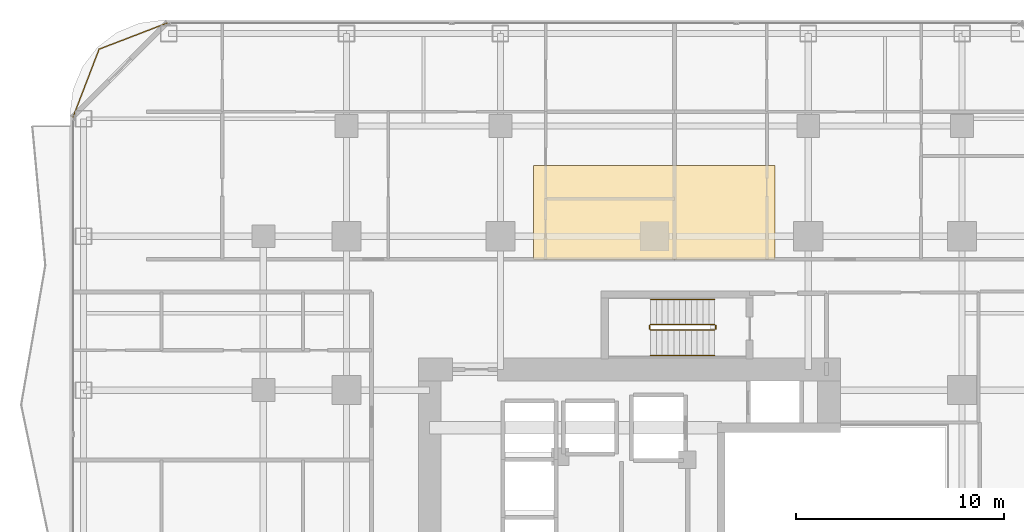
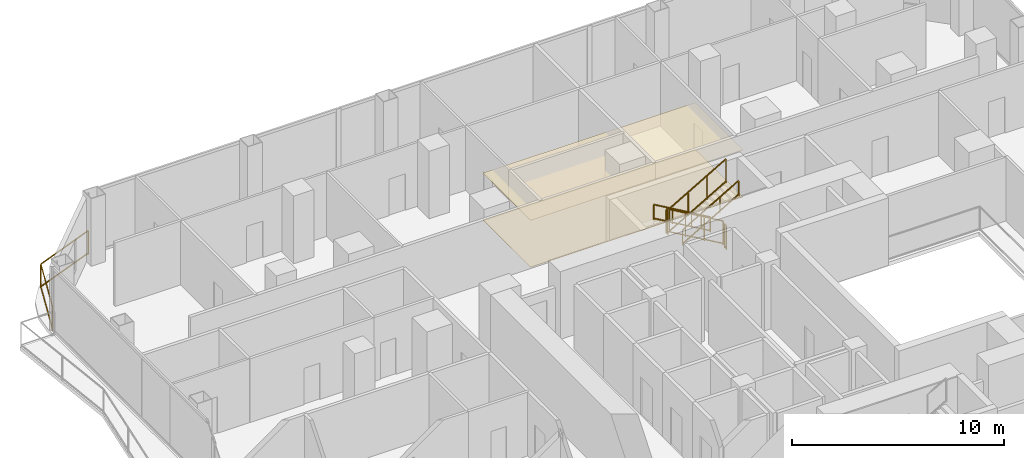
# One storey, part 28 of 29: 7 railings, 2 coverings.
"""IFC4 building model written with IfcOpenShell, lengths in metres."""

from ifc_helpers import new_model, si_unit, direction, frame, origin, origin_2d, place, context, subcontext, project, spatial, polyline, rectangle, outline, extrude, material, layer, layer_set, type_object, element, save


model = new_model("IFC4")

# Units and contexts
model_context = context("Model", 3, precision=1e-05, world=origin(), true_north=direction((0.0, 1.0)))
body_context = subcontext(model_context, "Body", "Model", "MODEL_VIEW")
ifc_project = project(units=[si_unit("LENGTHUNIT", "METRE"), si_unit("AREAUNIT", "SQUARE_METRE"), si_unit("VOLUMEUNIT", "CUBIC_METRE"), si_unit("PLANEANGLEUNIT", "RADIAN"), si_unit("MASSUNIT", "GRAM", prefix="KILO")], contexts=[model_context])

# Site, building, storey
site_placement = place(None, origin())
site = spatial("IfcSite", under=ifc_project, at=site_placement, CompositionType="ELEMENT")
building_placement = place(site_placement, origin())
building = spatial("IfcBuilding", under=site, at=building_placement, Name="Khorvyn Point Tower", CompositionType="ELEMENT")
storey_placement = place(building_placement, frame((0.0, 0.0, 61.800048828125)))
storey = spatial("IfcBuildingStorey", under=building, at=storey_placement, Name="L16", CompositionType="ELEMENT", Elevation=61.800048828125)

# Covering
ifc_material_1 = material(Name="Engineered tropical hardwood flooring", Category="wood")
ifc_layer_1 = layer(ifc_material_1, 0.01611328125)
ifc_layer_set_1 = layer_set([ifc_layer_1], Name="Engineered Teak Apartment Floor Finish 16")
covering_type_1 = type_object("IfcCoveringType", Name="Engineered Teak Apartment Floor Finish 16", PredefinedType="FLOORING", material=ifc_layer_set_1)
covering_1_placement = place(storey_placement, origin())
element("IfcCovering", 1, at=covering_1_placement, inside=storey, type_object=covering_type_1, Name="L16 North Apartment Teak Flooring", PredefinedType="FLOORING", context=body_context, shape_type="SweptSolid", body=[
    extrude(outline(polyline([(-5.800048828125, 13.68994140625), (5.800048828125, 13.68994140625), (5.800048828125, 18.199951171875), (-5.800048828125, 18.199951171875), (-5.800048828125, 13.68994140625)])), origin(), (0.0, 0.0, 1.0), 0.015869140625),
])

# Railing
ifc_material_2 = material(Name="Anodised aluminium 6063-T6 and laminated safety glass", Category="aluminium")
railing_type_1 = type_object("IfcRailingType", Name="Laminated Glass and Aluminium Balcony Guardrail 1400", PredefinedType="BALUSTRADE", material=ifc_material_2)
railing_1_placement = place(storey_placement, frame((-23.370849609375, 25.073974609375, 0.0)))
element("IfcRailing", 2, at=railing_1_placement, inside=storey, type_object=railing_type_1, Name="L16 Rounded Corner Edge Guardrail NW", PredefinedType="BALUSTRADE", context=body_context, shape_type="SweptSolid", body=[
    extrude(rectangle(XDim=0.048095703125, YDim=0.048095703125, at=origin_2d()), frame((0.0, 0.0, 1.3759765625), z_axis=(-0.933575007025, -0.358382067435, 0.0), x_axis=(0.358382067435, -0.933575007025, 0.0)), (0.0, 0.0, 1.0), 3.562744140625),
    extrude(rectangle(XDim=0.048095703125, YDim=0.048095703125, at=origin_2d()), frame((0.0, 0.0, 0.080078125), z_axis=(-0.933575007025, -0.358382067435, 0.0), x_axis=(0.358382067435, -0.933575007025, 0.0)), (0.0, 0.0, 1.0), 3.562744140625),
    extrude(rectangle(XDim=0.048095703125, YDim=0.048095703125, at=origin_2d()), frame((-3.326171875, -1.27685546875, 1.3759765625), z_axis=(-0.35841886047, -0.933560882031, 0.0), x_axis=(0.933560882031, -0.35841886047, 0.0)), (0.0, 0.0, 1.0), 3.563232421875),
    extrude(rectangle(XDim=0.048095703125, YDim=0.048095703125, at=origin_2d()), frame((-3.326171875, -1.27685546875, 0.080078125), z_axis=(-0.35841886047, -0.933560882031, 0.0), x_axis=(0.933560882031, -0.35841886047, 0.0)), (0.0, 0.0, 1.0), 3.563232421875),
    extrude(rectangle(XDim=0.0419921875, YDim=0.0419921875, at=origin_2d()), origin(), (0.0, 0.0, 1.0), 1.351806640625),
    extrude(rectangle(XDim=0.0419921875, YDim=0.0419921875, at=origin_2d()), frame((-3.326171875, -1.27685546875, 0.0)), (0.0, 0.0, 1.0), 1.351806640625),
    extrude(rectangle(XDim=0.0419921875, YDim=0.0419921875, at=origin_2d()), frame((-4.603271484375, -4.603271484375, 0.0)), (0.0, 0.0, 1.0), 1.351806640625),
])

# Covering
ifc_material_3 = material(Name="Mineral-fibre acoustic ceiling board", Category="gypsum")
ifc_layer_2 = layer(ifc_material_3, 0.02001953125)
ifc_layer_set_2 = layer_set([ifc_layer_2], Name="Perforated Mineral-Fibre Acoustic Suspended Ceiling 20")
covering_type_2 = type_object("IfcCoveringType", Name="Perforated Mineral-Fibre Acoustic Suspended Ceiling 20", PredefinedType="CEILING", material=ifc_layer_set_2)
covering_2_placement = place(storey_placement, frame((0.0, 0.0, 2.699951171875)))
element("IfcCovering", 3, at=covering_2_placement, inside=storey, type_object=covering_type_2, Name="L16 North Apartment Acoustic Ceiling", PredefinedType="CEILING", context=body_context, shape_type="SweptSolid", body=[
    extrude(outline(polyline([(-5.800048828125, 13.68994140625), (5.800048828125, 13.68994140625), (5.800048828125, 18.199951171875), (-5.800048828125, 18.199951171875), (-5.800048828125, 13.68994140625)])), origin(), (0.0, 0.0, 1.0), 0.02001953125),
])

# Railings
ifc_material_4 = material(Name="Stainless steel 1.4301", Category="steel")
railing_type_2 = type_object("IfcRailingType", Name="Stainless Steel 304 Stair Pitch Handrail 900", PredefinedType="HANDRAIL", material=ifc_material_4)
railing_2_placement = place(storey_placement, frame((2.89990234375, 11.77001953125, 0.162353515625)))
element("IfcRailing", 4, at=railing_2_placement, inside=storey, type_object=railing_type_2, Name="L16 ST-02 stair handrail 1", PredefinedType="HANDRAIL", context=body_context, shape_type="SweptSolid", body=[
    extrude(rectangle(XDim=0.048095703125, YDim=0.048095703125, at=origin_2d()), frame((0.0, 0.0, 0.8759765625), z_axis=(-0.864873446163, 0.0, 0.501989962173), x_axis=(0.0, -1.0, 0.0)), (0.0, 0.0, 1.0), 3.56103515625),
    extrude(rectangle(XDim=0.048095703125, YDim=0.048095703125, at=origin_2d()), frame((0.0, 0.0, 0.080078125), z_axis=(-0.864873446163, 0.0, 0.501989962173), x_axis=(0.0, -1.0, 0.0)), (0.0, 0.0, 1.0), 3.56103515625),
    extrude(rectangle(XDim=0.0419921875, YDim=0.0419921875, at=origin_2d()), origin(), (0.0, 0.0, 1.0), 0.851806640625),
    extrude(rectangle(XDim=0.0419921875, YDim=0.0419921875, at=origin_2d()), frame((-1.026611328125, 0.0, 0.595947265625)), (0.0, 0.0, 1.0), 0.851806640625),
    extrude(rectangle(XDim=0.0419921875, YDim=0.0419921875, at=origin_2d()), frame((-2.05322265625, 0.0, 1.191650390625)), (0.0, 0.0, 1.0), 0.851806640625),
    extrude(rectangle(XDim=0.0419921875, YDim=0.0419921875, at=origin_2d()), frame((-3.079833984375, 0.0, 1.78759765625)), (0.0, 0.0, 1.0), 0.851806640625),
])
railing_3_placement = place(storey_placement, frame((-0.179931640625, 9.070068359375, 2.112548828125)))
element("IfcRailing", 5, at=railing_3_placement, inside=storey, type_object=railing_type_2, Name="L16 ST-02 stair handrail 2", PredefinedType="HANDRAIL", context=body_context, shape_type="SweptSolid", body=[
    extrude(rectangle(XDim=0.048095703125, YDim=0.048095703125, at=origin_2d()), frame((0.0, 0.0, 0.8759765625), z_axis=(0.864903211148, 0.0, 0.501938676878), x_axis=(0.0, 1.0, 0.0)), (0.0, 0.0, 1.0), 3.560791015625),
    extrude(rectangle(XDim=0.048095703125, YDim=0.048095703125, at=origin_2d()), frame((0.0, 0.0, 0.080078125), z_axis=(0.864903211148, 0.0, 0.501938676878), x_axis=(0.0, 1.0, 0.0)), (0.0, 0.0, 1.0), 3.560791015625),
    extrude(rectangle(XDim=0.0419921875, YDim=0.0419921875, at=origin_2d()), origin(), (0.0, 0.0, 1.0), 0.851806640625),
    extrude(rectangle(XDim=0.0419921875, YDim=0.0419921875, at=origin_2d()), frame((1.026611328125, 0.0, 0.595703125)), (0.0, 0.0, 1.0), 0.851806640625),
    extrude(rectangle(XDim=0.0419921875, YDim=0.0419921875, at=origin_2d()), frame((2.05322265625, 0.0, 1.191650390625)), (0.0, 0.0, 1.0), 0.851806640625),
    extrude(rectangle(XDim=0.0419921875, YDim=0.0419921875, at=origin_2d()), frame((3.079833984375, 0.0, 1.787353515625)), (0.0, 0.0, 1.0), 0.851806640625),
])
railing_type_3 = type_object("IfcRailingType", Name="Stainless Steel 304 Stair Well Guardrail 1400", PredefinedType="GUARDRAIL", material=ifc_material_4)
railing_4_placement = place(storey_placement, frame((2.89990234375, 10.550048828125, 0.162353515625)))
element("IfcRailing", 6, at=railing_4_placement, inside=storey, type_object=railing_type_3, Name="L16 ST-02 stair guard 1", PredefinedType="GUARDRAIL", context=body_context, shape_type="SweptSolid", body=[
    extrude(rectangle(XDim=0.048095703125, YDim=0.048095703125, at=origin_2d()), frame((0.0, 0.0, 1.3759765625), z_axis=(-0.864873446163, 0.0, 0.501989962173), x_axis=(0.0, -1.0, 0.0)), (0.0, 0.0, 1.0), 3.56103515625),
    extrude(rectangle(XDim=0.048095703125, YDim=0.048095703125, at=origin_2d()), frame((0.0, 0.0, 0.080078125), z_axis=(-0.864873446163, 0.0, 0.501989962173), x_axis=(0.0, -1.0, 0.0)), (0.0, 0.0, 1.0), 3.56103515625),
    extrude(rectangle(XDim=0.0419921875, YDim=0.0419921875, at=origin_2d()), origin(), (0.0, 0.0, 1.0), 1.351806640625),
    extrude(rectangle(XDim=0.0419921875, YDim=0.0419921875, at=origin_2d()), frame((-1.026611328125, 0.0, 0.595947265625)), (0.0, 0.0, 1.0), 1.351806640625),
    extrude(rectangle(XDim=0.0419921875, YDim=0.0419921875, at=origin_2d()), frame((-2.05322265625, 0.0, 1.191650390625)), (0.0, 0.0, 1.0), 1.351806640625),
    extrude(rectangle(XDim=0.0419921875, YDim=0.0419921875, at=origin_2d()), frame((-3.079833984375, 0.0, 1.78759765625)), (0.0, 0.0, 1.0), 1.351806640625),
])
railing_5_placement = place(storey_placement, frame((-0.22998046875, 10.5, 1.949951171875)))
element("IfcRailing", 7, at=railing_5_placement, inside=storey, type_object=railing_type_3, Name="L16 ST-02 stair guard 2", PredefinedType="GUARDRAIL", context=body_context, shape_type="SweptSolid", body=[
    extrude(rectangle(XDim=0.048095703125, YDim=0.048095703125, at=origin_2d()), frame((0.0, 0.0, 1.3759765625), z_axis=(0.0, -1.0, 0.0), x_axis=(1.0, 0.0, 0.0)), (0.0, 0.0, 1.0), 0.159912109375),
    extrude(rectangle(XDim=0.048095703125, YDim=0.048095703125, at=origin_2d()), frame((0.0, 0.0, 0.080078125), z_axis=(0.0, -1.0, 0.0), x_axis=(1.0, 0.0, 0.0)), (0.0, 0.0, 1.0), 0.159912109375),
    extrude(rectangle(XDim=0.0419921875, YDim=0.0419921875, at=origin_2d()), origin(), (0.0, 0.0, 1.0), 1.351806640625),
    extrude(rectangle(XDim=0.0419921875, YDim=0.0419921875, at=origin_2d()), frame((0.0, -0.159912109375, 0.0)), (0.0, 0.0, 1.0), 1.351806640625),
])
railing_6_placement = place(storey_placement, frame((-0.179931640625, 10.2900390625, 2.112548828125)))
element("IfcRailing", 8, at=railing_6_placement, inside=storey, type_object=railing_type_3, Name="L16 ST-02 stair guard 3", PredefinedType="GUARDRAIL", context=body_context, shape_type="SweptSolid", body=[
    extrude(rectangle(XDim=0.048095703125, YDim=0.048095703125, at=origin_2d()), frame((0.0, 0.0, 1.3759765625), z_axis=(0.864903211148, 0.0, 0.501938676878), x_axis=(0.0, 1.0, 0.0)), (0.0, 0.0, 1.0), 3.560791015625),
    extrude(rectangle(XDim=0.048095703125, YDim=0.048095703125, at=origin_2d()), frame((0.0, 0.0, 0.080078125), z_axis=(0.864903211148, 0.0, 0.501938676878), x_axis=(0.0, 1.0, 0.0)), (0.0, 0.0, 1.0), 3.560791015625),
    extrude(rectangle(XDim=0.0419921875, YDim=0.0419921875, at=origin_2d()), origin(), (0.0, 0.0, 1.0), 1.351806640625),
    extrude(rectangle(XDim=0.0419921875, YDim=0.0419921875, at=origin_2d()), frame((1.026611328125, 0.0, 0.595703125)), (0.0, 0.0, 1.0), 1.351806640625),
    extrude(rectangle(XDim=0.0419921875, YDim=0.0419921875, at=origin_2d()), frame((2.05322265625, 0.0, 1.191650390625)), (0.0, 0.0, 1.0), 1.351806640625),
    extrude(rectangle(XDim=0.0419921875, YDim=0.0419921875, at=origin_2d()), frame((3.079833984375, 0.0, 1.787353515625)), (0.0, 0.0, 1.0), 1.351806640625),
])
railing_7_placement = place(storey_placement, frame((2.949951171875, 10.5, 0.0)))
element("IfcRailing", 9, at=railing_7_placement, inside=storey, type_object=railing_type_3, Name="L16 ST-02 stair guard 4", PredefinedType="GUARDRAIL", context=body_context, shape_type="SweptSolid", body=[
    extrude(rectangle(XDim=0.048095703125, YDim=0.048095703125, at=origin_2d()), frame((0.0, 0.0, 1.3759765625), z_axis=(0.0, -1.0, 0.0), x_axis=(1.0, 0.0, 0.0)), (0.0, 0.0, 1.0), 0.159912109375),
    extrude(rectangle(XDim=0.048095703125, YDim=0.048095703125, at=origin_2d()), frame((0.0, 0.0, 0.080078125), z_axis=(0.0, -1.0, 0.0), x_axis=(1.0, 0.0, 0.0)), (0.0, 0.0, 1.0), 0.159912109375),
    extrude(rectangle(XDim=0.0419921875, YDim=0.0419921875, at=origin_2d()), origin(), (0.0, 0.0, 1.0), 1.351806640625),
    extrude(rectangle(XDim=0.0419921875, YDim=0.0419921875, at=origin_2d()), frame((0.0, -0.159912109375, 0.0)), (0.0, 0.0, 1.0), 1.351806640625),
])

save(model, "model.ifc")
